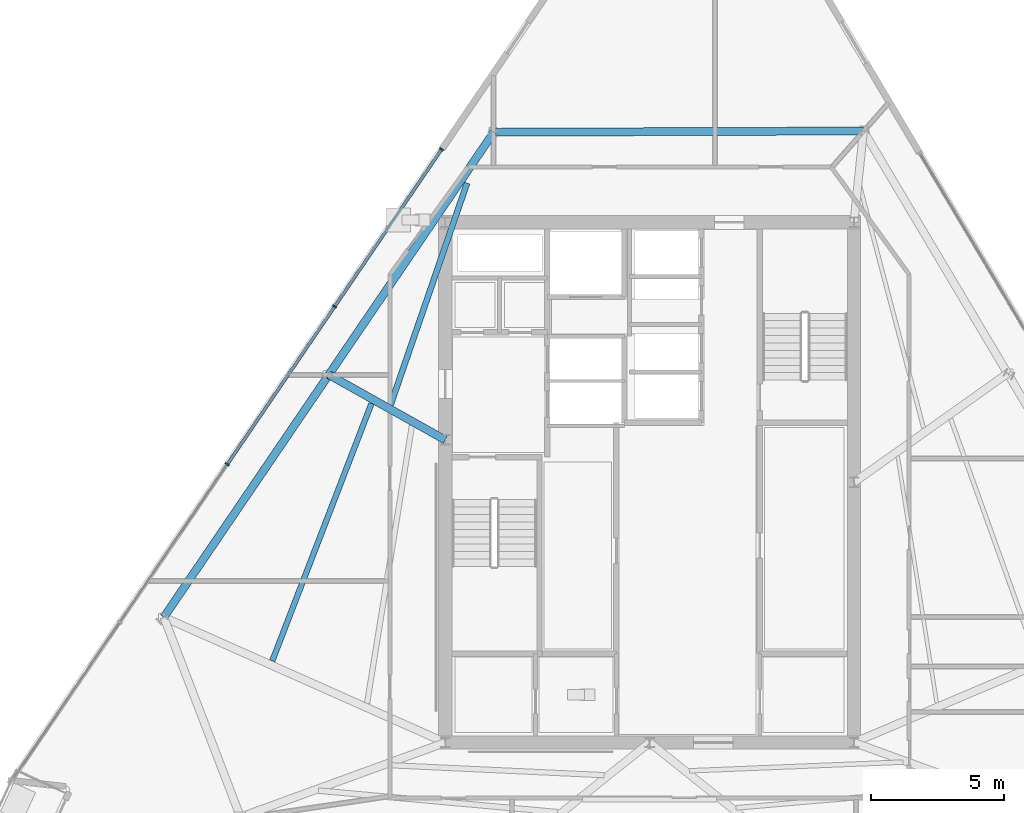
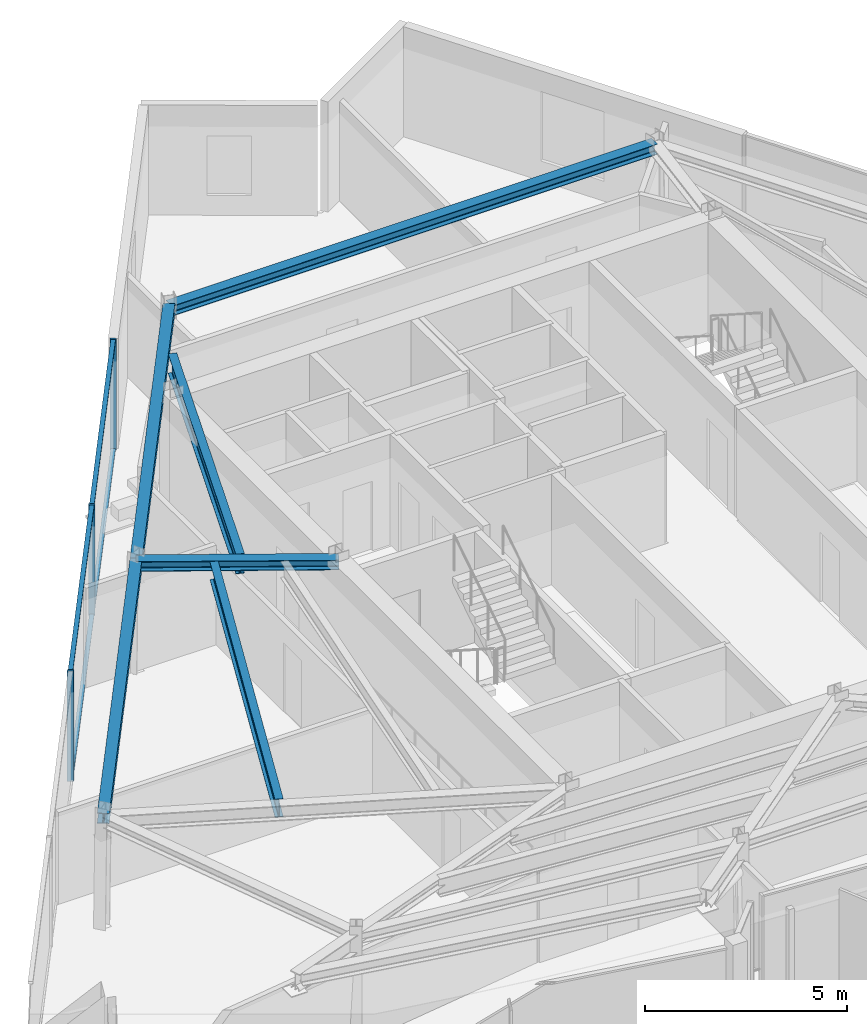
# One storey, part 4 of 13: 7 members, 6 beams, 1 element without a shape of its own.
"""IFC4 building model written with IfcOpenShell, lengths in metres."""

from ifc_helpers import new_model, si_unit, direction, frame, origin, origin_2d, place, context, subcontext, project, spatial, rectangle, i_section, extrude, material, material_profile, profile_set, type_object, element, aggregate, save


model = new_model("IFC4")

# Units and contexts
model_context = context("Model", 3, precision=1e-05, world=origin(), true_north=direction((0.0, 1.0)))
body_context = subcontext(model_context, "Body", "Model", "MODEL_VIEW")
ifc_project = project(units=[si_unit("LENGTHUNIT", "METRE"), si_unit("AREAUNIT", "SQUARE_METRE"), si_unit("VOLUMEUNIT", "CUBIC_METRE"), si_unit("PLANEANGLEUNIT", "RADIAN"), si_unit("MASSUNIT", "GRAM", prefix="KILO")], contexts=[model_context])

# Site, building, storey
site_placement = place(None, origin())
site = spatial("IfcSite", under=ifc_project, at=site_placement, CompositionType="ELEMENT")
building_placement = place(site_placement, origin())
building = spatial("IfcBuilding", under=site, at=building_placement, Name="Savorim Split Tower", CompositionType="ELEMENT")
storey_placement = place(building_placement, frame((0.0, 0.0, 272.39990234375)))
storey = spatial("IfcBuildingStorey", under=building, at=storey_placement, Name="L72", CompositionType="ELEMENT", Elevation=272.39990234375)

# Beams
ifc_material_1 = material(Name="Steel S355", Category="steel")
ifc_material_profile_1 = material_profile(ifc_material_1, i_section(OverallWidth=0.2099609375, OverallDepth=0.550048828125, WebThickness=0.010986328125, FlangeThickness=0.01708984375, FilletRadius=0.02392578125, at=origin_2d()), Name="IPE 550")
ifc_profile_set_1 = profile_set([ifc_material_profile_1], Name="Steel S355")
beam_type_1 = type_object("IfcBeamType", Name="BM-JST-IPE550", PredefinedType="JOIST", material=ifc_profile_set_1)
beam_1_placement = place(storey_placement, frame((-10.474609375, 3.37255859375, 3.0751953125), z_axis=(-0.359646508409, -0.933088628689, 0.0), x_axis=(0.933088628689, -0.359646508409, 0.0)))
element("IfcBeam", 1, at=beam_1_placement, inside=storey, type_object=beam_type_1, Name="L72 Secondary Floor Joist JS-10", PredefinedType="JOIST", context=body_context, shape_type="SweptSolid", body=[
    extrude(i_section(OverallWidth=0.2099609375, OverallDepth=0.550048828125, WebThickness=0.010986328125, FlangeThickness=0.01708984375, FilletRadius=0.02392578125, at=origin_2d()), origin(), (0.0, 0.0, 1.0), 10.3916015625),
])
ifc_material_profile_2 = material_profile(ifc_material_1, i_section(OverallWidth=0.219970703125, OverallDepth=0.60009765625, WebThickness=0.011962890625, FlangeThickness=0.01904296875, FilletRadius=0.02392578125, at=origin_2d()), Name="IPE 600")
ifc_profile_set_2 = profile_set([ifc_material_profile_2], Name="Steel S355")
beam_type_2 = type_object("IfcBeamType", Name="BM-JST-IPE600", PredefinedType="JOIST", material=ifc_profile_set_2)
beam_2_placement = place(storey_placement, frame((-6.873291015625, 11.675048828125, 3.050048828125), z_axis=(-0.326034150476, -0.945357991833, 0.0), x_axis=(0.945357991833, -0.326034150476, 0.0)))
element("IfcBeam", 2, at=beam_2_placement, inside=storey, type_object=beam_type_2, Name="L72 Secondary Floor Joist JS-09", PredefinedType="JOIST", context=body_context, shape_type="SweptSolid", body=[
    extrude(i_section(OverallWidth=0.219970703125, OverallDepth=0.60009765625, WebThickness=0.011962890625, FlangeThickness=0.01904296875, FilletRadius=0.02392578125, at=origin_2d()), origin(), (0.0, 0.0, 1.0), 8.827880859375),
])
ifc_material_profile_3 = material_profile(ifc_material_1, i_section(OverallWidth=0.300048828125, OverallDepth=0.300048828125, WebThickness=0.010986328125, FlangeThickness=0.01904296875, FilletRadius=0.027099609375, at=origin_2d()), Name="HEB 300")
ifc_profile_set_3 = profile_set([ifc_material_profile_3], Name="Steel S355")
beam_type_3 = type_object("IfcBeamType", Name="BM-PRI-HEB300", PredefinedType="BEAM", material=ifc_profile_set_3)
beam_3_placement = place(storey_placement, frame((-12.08251953125, 4.45458984375, 3.2001953125), z_axis=(0.872476177518, -0.488656648029, 0.0), x_axis=(0.488656648029, 0.872476177518, 0.0)))
element("IfcBeam", 3, at=beam_3_placement, inside=storey, type_object=beam_type_3, Name="L72 Primary Floor Girder RG-09", PredefinedType="BEAM", context=body_context, shape_type="SweptSolid", body=[
    extrude(i_section(OverallWidth=0.300048828125, OverallDepth=0.300048828125, WebThickness=0.010986328125, FlangeThickness=0.01904296875, FilletRadius=0.027099609375, at=origin_2d()), origin(), (0.0, 0.0, 1.0), 5.023193359375),
])
ifc_material_profile_4 = material_profile(ifc_material_1, i_section(OverallWidth=0.300048828125, OverallDepth=0.31005859375, WebThickness=0.009033203125, FlangeThickness=0.015380859375, FilletRadius=0.027099609375, at=origin_2d()), Name="HEA 320")
ifc_profile_set_4 = profile_set([ifc_material_profile_4], Name="Steel S355")
beam_type_4 = type_object("IfcBeamType", Name="BM-SPN-HEA320", PredefinedType="SPANDREL", material=ifc_profile_set_4)
beam_4_placement = place(storey_placement, frame((8.0546875, 13.636962890625, 3.195068359375), z_axis=(-0.999993851222, -0.003506781636, 0.0), x_axis=(0.003506781636, -0.999993851222, 0.0)))
element("IfcBeam", 4, at=beam_4_placement, inside=storey, type_object=beam_type_4, Name="L72 Perimeter Spandrel Beam 7", PredefinedType="SPANDREL", context=body_context, shape_type="SweptSolid", body=[
    extrude(i_section(OverallWidth=0.300048828125, OverallDepth=0.31005859375, WebThickness=0.009033203125, FlangeThickness=0.015380859375, FilletRadius=0.027099609375, at=origin_2d()), origin(), (0.0, 0.0, 1.0), 13.923828125),
])
for number, where, z_axis, x_axis, name in (
    (5, (-5.869140625, 13.588134765625, 3.195068359375), (-0.562468997557, -0.826818375937, 0.0), (0.826818375937, -0.562468997557, 0.0), "L72 Perimeter Spandrel Beam 8"),
    (6, (-12.08251953125, 4.45458984375, 3.195068359375), (-0.562468997557, -0.826818375937, 0.0), (0.826818375937, -0.562468997557, 0.0), "L72 Perimeter Spandrel Beam 9"),
):
    element("IfcBeam", number, at=place(storey_placement, frame(where, z_axis=z_axis, x_axis=x_axis)), inside=storey, type_object=beam_type_4, Name=name, PredefinedType="SPANDREL", context=body_context, shape_type="SweptSolid", body=[
        extrude(i_section(OverallWidth=0.300048828125, OverallDepth=0.31005859375, WebThickness=0.009033203125, FlangeThickness=0.015380859375, FilletRadius=0.027099609375, at=origin_2d()), origin(), (0.0, 0.0, 1.0), 11.046630859375),
    ])

# Curtain wall, members
ifc_material_2 = material(Name="Dark Ceramic-Fritted Insulated Glass", Category="glass")
curtain_wall_type = type_object("IfcCurtainWallType", Name="CW-TWR-FRIT-B", PredefinedType="NOTDEFINED", material=ifc_material_2)
curtain_wall_placement = place(storey_placement, origin())
curtain_wall = element("IfcCurtainWall", 7, at=curtain_wall_placement, inside=storey, type_object=curtain_wall_type, Name="L72 Curtain Wall CW-L72-WEST", PredefinedType="NOTDEFINED")
ifc_material_3 = material(Name="Charcoal Anodised Aluminium", Category="aluminium")
ifc_material_profile_5 = material_profile(ifc_material_3, rectangle(XDim=0.159912109375, YDim=0.06005859375, at=origin_2d()), Name="ALU-M 160x60")
ifc_profile_set_5 = profile_set([ifc_material_profile_5], Name="Charcoal Anodised Aluminium")
member_type_1 = type_object("IfcMemberType", Name="CWM-160x60", PredefinedType="MULLION", material=ifc_profile_set_5)
member_1_placement = place(storey_placement, frame((-7.833740234375, 12.946044921875, 0.0), z_axis=(0.0, 0.0, 1.0), x_axis=(0.826817472755, -0.562470325215, 0.0)))
member_1 = element("IfcMember", 8, at=member_1_placement, type_object=member_type_1, Name="CW-03 mullion 1", PredefinedType="MULLION", context=body_context, shape_type="SweptSolid", body=[
    extrude(rectangle(XDim=0.159912109375, YDim=0.06005859375, at=origin_2d()), origin(), (0.0, 0.0, 1.0), 3.35009765625),
])
member_2_placement = place(storey_placement, frame((-11.86181640625, 7.02490234375, 0.0), z_axis=(0.0, 0.0, 1.0), x_axis=(0.826817472755, -0.562470325215, 0.0)))
member_2 = element("IfcMember", 9, at=member_2_placement, type_object=member_type_1, Name="CW-03 mullion 2", PredefinedType="MULLION", context=body_context, shape_type="SweptSolid", body=[
    extrude(rectangle(XDim=0.159912109375, YDim=0.06005859375, at=origin_2d()), origin(), (0.0, 0.0, 1.0), 3.35009765625),
])
member_3_placement = place(storey_placement, frame((-15.906982421875, 1.078857421875, 0.0), z_axis=(0.0, 0.0, 1.0), x_axis=(0.826817472755, -0.562470325215, 0.0)))
member_3 = element("IfcMember", 10, at=member_3_placement, type_object=member_type_1, Name="CW-03 mullion 3", PredefinedType="MULLION", context=body_context, shape_type="SweptSolid", body=[
    extrude(rectangle(XDim=0.159912109375, YDim=0.06005859375, at=origin_2d()), origin(), (0.0, 0.0, 1.0), 3.35009765625),
])
ifc_material_profile_6 = material_profile(ifc_material_3, rectangle(XDim=0.1201171875, YDim=0.050048828125, at=origin_2d()), Name="ALU-T 120x50")
ifc_profile_set_6 = profile_set([ifc_material_profile_6], Name="Charcoal Anodised Aluminium")
member_type_2 = type_object("IfcMemberType", Name="CWT-120x50", PredefinedType="USERDEFINED", material=ifc_profile_set_6)
member_4_placement = place(storey_placement, frame((-7.8505859375, 12.92138671875, 0.025146484375), z_axis=(-0.562458582496, -0.826825461011, 0.0), x_axis=(0.826825461011, -0.562458582496, 0.0)))
member_4 = element("IfcMember", 11, at=member_4_placement, type_object=member_type_2, Name="CW-03 transom 1.1", ObjectType="TRANSOM", PredefinedType="USERDEFINED", context=body_context, shape_type="SweptSolid", body=[
    extrude(rectangle(XDim=0.1201171875, YDim=0.050048828125, at=origin_2d()), origin(), (0.0, 0.0, 1.0), 7.1015625),
])
member_5_placement = place(storey_placement, frame((-7.8505859375, 12.92138671875, 3.3251953125), z_axis=(-0.562458582496, -0.826825461011, 0.0), x_axis=(0.826825461011, -0.562458582496, 0.0)))
member_5 = element("IfcMember", 12, at=member_5_placement, type_object=member_type_2, Name="CW-03 transom 1.2", ObjectType="TRANSOM", PredefinedType="USERDEFINED", context=body_context, shape_type="SweptSolid", body=[
    extrude(rectangle(XDim=0.1201171875, YDim=0.050048828125, at=origin_2d()), origin(), (0.0, 0.0, 1.0), 7.1015625),
])
member_6_placement = place(storey_placement, frame((-11.878662109375, 7.0, 0.025146484375), z_axis=(-0.56248885338, -0.826804868045, 0.0), x_axis=(0.826804868045, -0.56248885338, 0.0)))
member_6 = element("IfcMember", 13, at=member_6_placement, type_object=member_type_2, Name="CW-03 transom 2.1", ObjectType="TRANSOM", PredefinedType="USERDEFINED", context=body_context, shape_type="SweptSolid", body=[
    extrude(rectangle(XDim=0.1201171875, YDim=0.050048828125, at=origin_2d()), origin(), (0.0, 0.0, 1.0), 7.131591796875),
])
member_7_placement = place(storey_placement, frame((-11.878662109375, 7.0, 3.3251953125), z_axis=(-0.56248885338, -0.826804868045, 0.0), x_axis=(0.826804868045, -0.56248885338, 0.0)))
member_7 = element("IfcMember", 14, at=member_7_placement, type_object=member_type_2, Name="CW-03 transom 2.2", ObjectType="TRANSOM", PredefinedType="USERDEFINED", context=body_context, shape_type="SweptSolid", body=[
    extrude(rectangle(XDim=0.1201171875, YDim=0.050048828125, at=origin_2d()), origin(), (0.0, 0.0, 1.0), 7.131591796875),
])
aggregate(curtain_wall, [member_1, member_2, member_3, member_4, member_5, member_6, member_7])

save(model, "model.ifc")
